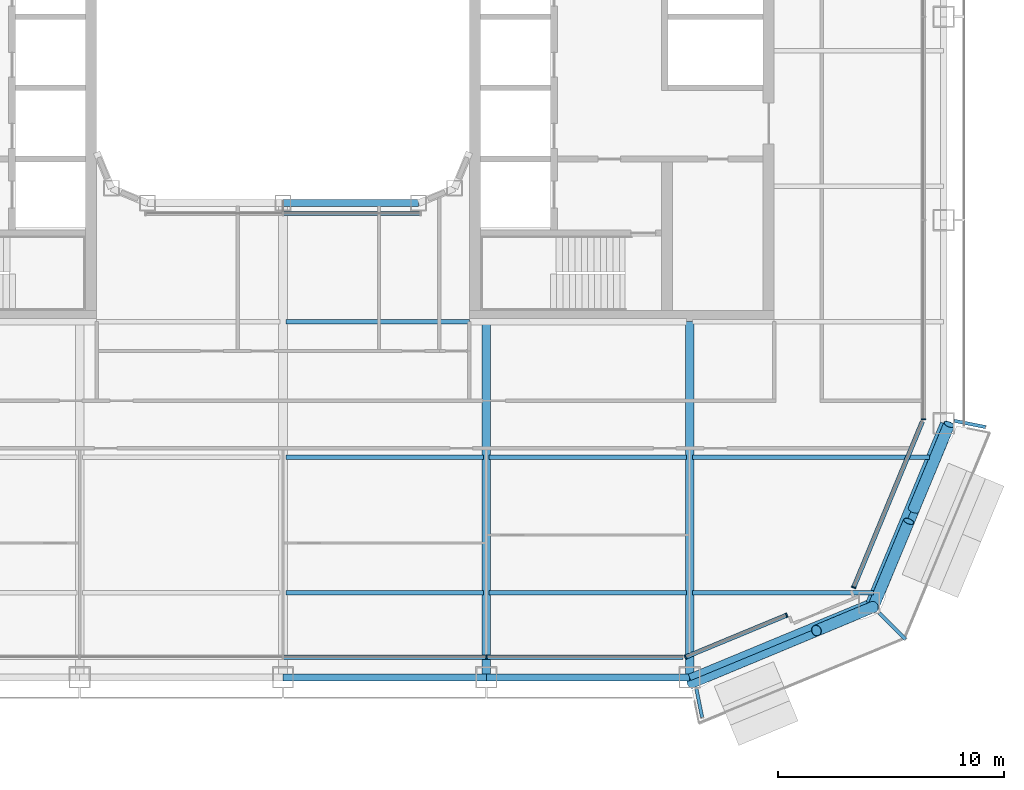
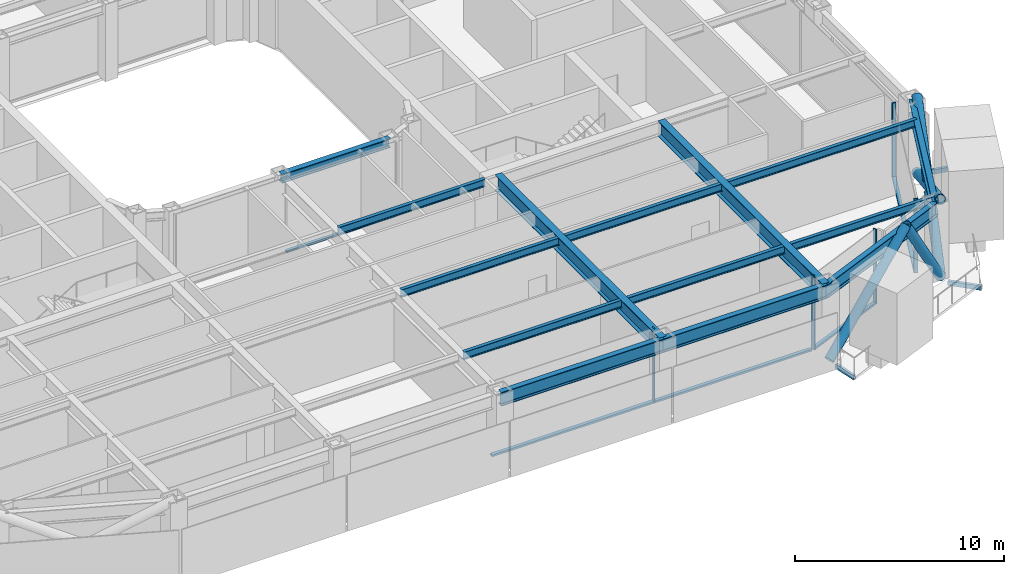
# One storey, part 4 of 23: 17 beams, 15 members, 5 elements without a shape of their own.
"""IFC4 building model written with IfcOpenShell, lengths in metres."""

from ifc_helpers import new_model, si_unit, direction, frame, origin, origin_2d, place, context, subcontext, project, spatial, rectangle, hollow_rectangle, hollow_circle, i_section, extrude, material, layer, layer_set, material_profile, profile_set, type_object, element, aggregate, save


model = new_model("IFC4")

# Units and contexts
model_context = context("Model", 3, precision=1e-05, world=origin(), true_north=direction((0.0, 1.0)))
body_context = subcontext(model_context, "Body", "Model", "MODEL_VIEW")
ifc_project = project(units=[si_unit("LENGTHUNIT", "METRE"), si_unit("AREAUNIT", "SQUARE_METRE"), si_unit("VOLUMEUNIT", "CUBIC_METRE"), si_unit("PLANEANGLEUNIT", "RADIAN"), si_unit("MASSUNIT", "GRAM", prefix="KILO")], contexts=[model_context])

# Site, building, storey
site_placement = place(None, origin())
site = spatial("IfcSite", under=ifc_project, at=site_placement, CompositionType="ELEMENT")
building_placement = place(site_placement, origin())
building = spatial("IfcBuilding", under=site, at=building_placement, Name="Siwar Civic Tower", CompositionType="ELEMENT")
storey_placement = place(building_placement, frame((0.0, 0.0, 109.199951171875)))
storey = spatial("IfcBuildingStorey", under=building, at=storey_placement, Name="L23", CompositionType="ELEMENT", Elevation=109.199951171875)

# Beams
ifc_material_1 = material(Name="Steel S355", Category="steel")
ifc_material_profile_1 = material_profile(ifc_material_1, hollow_rectangle(XDim=0.14990234375, YDim=0.25, WallThickness=0.010009765625, at=origin_2d()), Name="RHS250x150x10")
ifc_profile_set_1 = profile_set([ifc_material_profile_1], Name="Steel S355")
beam_type_1 = type_object("IfcBeamType", Name="ENV-BALCONY ARM", PredefinedType="BEAM", material=ifc_profile_set_1)
beam_1_placement = place(storey_placement, frame((18.30029296875, -29.73486328125, -0.27490234375), z_axis=(0.195189223115, -0.980765602568, 0.0), x_axis=(0.980765602568, 0.195189223115, 0.0)))
element("IfcBeam", 1, at=beam_1_placement, inside=storey, type_object=beam_type_1, Name="Balcony cantilever beam SE 1", PredefinedType="BEAM", context=body_context, shape_type="SweptSolid", body=[
    extrude(hollow_rectangle(XDim=0.14990234375, YDim=0.25, WallThickness=0.010009765625, at=origin_2d()), origin(), (0.0, 0.0, 1.0), 1.317138671875),
])
beam_2_placement = place(storey_placement, frame((26.39453125, -26.39453125, -0.27490234375), z_axis=(0.707106781187, -0.707106781187, 0.0), x_axis=(0.707106781187, 0.707106781187, 0.0)))
element("IfcBeam", 2, at=beam_2_placement, inside=storey, type_object=beam_type_1, Name="Balcony cantilever beam SE 2", PredefinedType="BEAM", context=body_context, shape_type="SweptSolid", body=[
    extrude(hollow_rectangle(XDim=0.14990234375, YDim=0.25, WallThickness=0.010009765625, at=origin_2d()), origin(), (0.0, 0.0, 1.0), 1.6513671875),
])
beam_3_placement = place(storey_placement, frame((29.72509765625, -17.890625, -0.27490234375), z_axis=(0.980780459814, -0.195114555191, 0.0), x_axis=(0.195114555191, 0.980780459814, 0.0)))
element("IfcBeam", 3, at=beam_3_placement, inside=storey, type_object=beam_type_1, Name="Balcony cantilever beam SE 3", PredefinedType="BEAM", context=body_context, shape_type="SweptSolid", body=[
    extrude(hollow_rectangle(XDim=0.14990234375, YDim=0.25, WallThickness=0.010009765625, at=origin_2d()), origin(), (0.0, 0.0, 1.0), 1.406494140625),
])

# Curtain wall, member
ifc_material_2 = material(Name="Aluminium and glass", Category="aluminium")
ifc_layer_1 = layer(ifc_material_2, 0.199951171875)
ifc_layer_set_1 = layer_set([ifc_layer_1], Name="Aluminium and glass")
curtain_wall_type_1 = type_object("IfcCurtainWallType", Name="ENV-CW-B", PredefinedType="NOTDEFINED", material=ifc_layer_set_1)
curtain_wall_1_placement = place(storey_placement, origin())
curtain_wall_1 = element("IfcCurtainWall", 4, at=curtain_wall_1_placement, inside=storey, type_object=curtain_wall_type_1, Name="Curtain wall B S", PredefinedType="NOTDEFINED")
ifc_material_3 = material(Name="Aluminium 6063-T6", Category="aluminium")
ifc_material_profile_2 = material_profile(ifc_material_3, rectangle(XDim=0.199951171875, YDim=0.06494140625, at=origin_2d()), Name="AL 200x65")
ifc_profile_set_2 = profile_set([ifc_material_profile_2], Name="Aluminium 6063-T6")
member_type_1 = type_object("IfcMemberType", Name="ENV-MULLION-B", PredefinedType="MULLION", material=ifc_profile_set_2)
member_1_placement = place(storey_placement, frame((9.0, -28.35009765625, 0.0), z_axis=(0.0, 0.0, 1.0), x_axis=(0.0, 1.0, 0.0)))
member_1 = element("IfcMember", 5, at=member_1_placement, type_object=member_type_1, Name="Mullion B S 4", PredefinedType="MULLION", context=body_context, shape_type="SweptSolid", body=[
    extrude(rectangle(XDim=0.199951171875, YDim=0.06494140625, at=origin_2d()), origin(), (0.0, 0.0, 1.0), 4.35009765625),
])

# Curtain wall, members
ifc_material_4 = material(Name="Aluminium clad insulated panel", Category="aluminium")
ifc_layer_2 = layer(ifc_material_4, 0.199951171875)
ifc_layer_set_2 = layer_set([ifc_layer_2], Name="Aluminium clad insulated panel")
curtain_wall_type_2 = type_object("IfcCurtainWallType", Name="ENV-CW-BX", PredefinedType="NOTDEFINED", material=ifc_layer_set_2)
curtain_wall_2_placement = place(storey_placement, origin())
curtain_wall_2 = element("IfcCurtainWall", 6, at=curtain_wall_2_placement, inside=storey, type_object=curtain_wall_type_2, Name="Curtain wall B SE1", PredefinedType="NOTDEFINED")
member_2_placement = place(storey_placement, frame((17.821044921875, -28.35009765625, 0.0), z_axis=(0.0, 0.0, 1.0), x_axis=(-0.382683432365, 0.923879532511, 0.0)))
member_2 = element("IfcMember", 7, at=member_2_placement, type_object=member_type_1, Name="Mullion B SE1 1", PredefinedType="MULLION", context=body_context, shape_type="SweptSolid", body=[
    extrude(rectangle(XDim=0.199951171875, YDim=0.06494140625, at=origin_2d()), origin(), (0.0, 0.0, 1.0), 4.35009765625),
])
member_3_placement = place(storey_placement, frame((22.299072265625, -26.4951171875, 0.0), z_axis=(0.0, 0.0, 1.0), x_axis=(-0.382683432365, 0.923879532511, 0.0)))
member_3 = element("IfcMember", 8, at=member_3_placement, type_object=member_type_1, Name="Mullion B SE1 2", PredefinedType="MULLION", context=body_context, shape_type="SweptSolid", body=[
    extrude(rectangle(XDim=0.199951171875, YDim=0.06494140625, at=origin_2d()), origin(), (0.0, 0.0, 1.0), 4.35009765625),
])

# Curtain wall, member
curtain_wall_3_placement = place(storey_placement, origin())
curtain_wall_3 = element("IfcCurtainWall", 9, at=curtain_wall_3_placement, inside=storey, type_object=curtain_wall_type_2, Name="Curtain wall B SE2", PredefinedType="NOTDEFINED")
member_4_placement = place(storey_placement, frame((25.26611328125, -25.26611328125, 0.0), z_axis=(0.0, 0.0, 1.0), x_axis=(-0.923879532511, 0.382683432365, 0.0)))
member_4 = element("IfcMember", 10, at=member_4_placement, type_object=member_type_1, Name="Mullion B SE2 1", PredefinedType="MULLION", context=body_context, shape_type="SweptSolid", body=[
    extrude(rectangle(XDim=0.199951171875, YDim=0.06494140625, at=origin_2d()), origin(), (0.0, 0.0, 1.0), 4.35009765625),
])

curtain_wall_4_placement = place(storey_placement, origin())
curtain_wall_4 = element("IfcCurtainWall", 11, at=curtain_wall_4_placement, inside=storey, type_object=curtain_wall_type_1, Name="Curtain wall B E", PredefinedType="NOTDEFINED")
member_5_placement = place(storey_placement, frame((28.35009765625, -17.821044921875, 0.0), z_axis=(0.0, 0.0, 1.0), x_axis=(-1.0, 0.0, 0.0)))
member_5 = element("IfcMember", 12, at=member_5_placement, type_object=member_type_1, Name="Mullion B E 1", PredefinedType="MULLION", context=body_context, shape_type="SweptSolid", body=[
    extrude(rectangle(XDim=0.199951171875, YDim=0.06494140625, at=origin_2d()), origin(), (0.0, 0.0, 1.0), 4.35009765625),
])
aggregate(curtain_wall_4, [member_5])

# Member
ifc_material_5 = material(Name="Aluminium 6063-T6", Category="aluminium")
ifc_material_profile_3 = material_profile(ifc_material_5, rectangle(XDim=0.199951171875, YDim=0.110107421875, at=origin_2d()), Name="AL 200x110")
ifc_profile_set_3 = profile_set([ifc_material_profile_3], Name="Aluminium 6063-T6")
member_type_2 = type_object("IfcMemberType", Name="ENV-TRANSOM-B", PredefinedType="USERDEFINED", material=ifc_profile_set_3)
member_6_placement = place(storey_placement, frame((0.032470703125, -28.35009765625, 0.054931640625), z_axis=(1.0, 0.0, 0.0), x_axis=(0.0, 1.0, 0.0)))
member_6 = element("IfcMember", 13, at=member_6_placement, type_object=member_type_2, Name="Transom B S 3", ObjectType="TRANSOM", PredefinedType="USERDEFINED", context=body_context, shape_type="SweptSolid", body=[
    extrude(rectangle(XDim=0.199951171875, YDim=0.110107421875, at=origin_2d()), origin(), (0.0, 0.0, 1.0), 8.93505859375),
])

member_7_placement = place(storey_placement, frame((9.032470703125, -28.35009765625, 0.054931640625), z_axis=(1.0, 0.0, 0.0), x_axis=(0.0, 1.0, 0.0)))
member_7 = element("IfcMember", 14, at=member_7_placement, type_object=member_type_2, Name="Transom B S 4", ObjectType="TRANSOM", PredefinedType="USERDEFINED", context=body_context, shape_type="SweptSolid", body=[
    extrude(rectangle(XDim=0.199951171875, YDim=0.110107421875, at=origin_2d()), origin(), (0.0, 0.0, 1.0), 8.6748046875),
])

aggregate(curtain_wall_1, [member_1, member_6, member_7])

member_8_placement = place(storey_placement, frame((17.85107421875, -28.337646484375, 0.054931640625), z_axis=(0.923872467912, 0.382700487371, 0.0), x_axis=(-0.382700487371, 0.923872467912, 0.0)))
member_8 = element("IfcMember", 15, at=member_8_placement, type_object=member_type_2, Name="Transom B SE1 1", ObjectType="TRANSOM", PredefinedType="USERDEFINED", context=body_context, shape_type="SweptSolid", body=[
    extrude(rectangle(XDim=0.199951171875, YDim=0.110107421875, at=origin_2d()), origin(), (0.0, 0.0, 1.0), 4.781982421875),
])

aggregate(curtain_wall_2, [member_2, member_3, member_8])

member_9_placement = place(storey_placement, frame((25.278564453125, -25.236083984375, 0.054931640625), z_axis=(0.382673358825, 0.923883705044, 0.0), x_axis=(-0.923883705044, 0.382673358825, 0.0)))
member_9 = element("IfcMember", 16, at=member_9_placement, type_object=member_type_2, Name="Transom B SE2 1", ObjectType="TRANSOM", PredefinedType="USERDEFINED", context=body_context, shape_type="SweptSolid", body=[
    extrude(rectangle(XDim=0.199951171875, YDim=0.110107421875, at=origin_2d()), origin(), (0.0, 0.0, 1.0), 7.912353515625),
])

aggregate(curtain_wall_3, [member_4, member_9])

# Curtain wall, member
ifc_material_6 = material(Name="Aluminium and glass", Category="aluminium")
ifc_layer_3 = layer(ifc_material_6, 0.179931640625)
ifc_layer_set_3 = layer_set([ifc_layer_3], Name="Aluminium and glass")
curtain_wall_type_3 = type_object("IfcCurtainWallType", Name="ENV-CW-W", PredefinedType="NOTDEFINED", material=ifc_layer_set_3)
curtain_wall_5_placement = place(storey_placement, origin())
curtain_wall_5 = element("IfcCurtainWall", 17, at=curtain_wall_5_placement, inside=storey, type_object=curtain_wall_type_3, Name="Curtain wall W WS", PredefinedType="NOTDEFINED")
ifc_material_7 = material(Name="Aluminium 6063-T6", Category="aluminium")
ifc_material_profile_4 = material_profile(ifc_material_7, rectangle(XDim=0.179931640625, YDim=0.10009765625, at=origin_2d()), Name="AL 180x100")
ifc_profile_set_4 = profile_set([ifc_material_profile_4], Name="Aluminium 6063-T6")
member_type_3 = type_object("IfcMemberType", Name="ENV-TRANSOM-W", PredefinedType="USERDEFINED", material=ifc_profile_set_4)
member_10_placement = place(storey_placement, frame((0.030029296875, -8.7099609375, 0.050048828125), z_axis=(1.0, 0.0, 0.0), x_axis=(0.0, 1.0, 0.0)))
member_10 = element("IfcMember", 18, at=member_10_placement, type_object=member_type_3, Name="Transom W WS 2", ObjectType="TRANSOM", PredefinedType="USERDEFINED", context=body_context, shape_type="SweptSolid", body=[
    extrude(rectangle(XDim=0.179931640625, YDim=0.10009765625, at=origin_2d()), origin(), (0.0, 0.0, 1.0), 6.031494140625),
])
aggregate(curtain_wall_5, [member_10])

# Members
ifc_material_8 = material(Name="Steel S355", Category="steel")
ifc_material_profile_5 = material_profile(ifc_material_8, hollow_circle(Radius=0.25390625, WallThickness=0.02490234375, at=origin_2d()), Name="CHS508x25")
ifc_profile_set_5 = profile_set([ifc_material_profile_5], Name="Steel S355")
member_type_4 = type_object("IfcMemberType", Name="STR-BR-CHS508x25", PredefinedType="BRACE", material=ifc_profile_set_5)
member_11_placement = place(storey_placement, frame((29.4951171875, -18.048828125, 0.0), z_axis=(-0.341671493852, -0.821142553604, 0.457149315816), x_axis=(0.923264922524, -0.384163874976, 0.0)))
element("IfcMember", 19, at=member_11_placement, inside=storey, type_object=member_type_4, Name="L23/brc/BSE1-2-0-1", PredefinedType="BRACE", context=body_context, shape_type="SweptSolid", body=[
    extrude(hollow_circle(Radius=0.25390625, WallThickness=0.02490234375, at=origin_2d()), origin(), (0.0, 0.0, 1.0), 9.843505859375),
])
member_12_placement = place(storey_placement, frame((26.1318359375, -26.1318359375, 0.0), z_axis=(0.341662474736, 0.821143275065, 0.457154760636), x_axis=(-0.923268638995, 0.384154943021, 0.0)))
element("IfcMember", 20, at=member_12_placement, inside=storey, type_object=member_type_4, Name="L23/brc/BSE1-2-0-2", PredefinedType="BRACE", context=body_context, shape_type="SweptSolid", body=[
    extrude(hollow_circle(Radius=0.25390625, WallThickness=0.02490234375, at=origin_2d()), origin(), (0.0, 0.0, 1.0), 4.61474609375),
])
member_13_placement = place(storey_placement, frame((27.91845703125, -21.837890625, 2.390625), z_axis=(0.34168558233, 0.821145902409, 0.457132770413), x_axis=(-0.923259859753, 0.384176042158, 0.0)))
element("IfcMember", 21, at=member_13_placement, inside=storey, type_object=member_type_4, Name="L23/brc/BSE1-2-0-3", PredefinedType="BRACE", context=body_context, shape_type="SweptSolid", body=[
    extrude(hollow_circle(Radius=0.25390625, WallThickness=0.02490234375, at=origin_2d()), origin(), (0.0, 0.0, 1.0), 4.6142578125),
])
member_14_placement = place(storey_placement, frame((18.048828125, -29.4951171875, 0.0), z_axis=(0.739973158344, 0.307903068035, 0.598026275029), x_axis=(-0.384169803352, 0.923262455747, 0.0)))
element("IfcMember", 22, at=member_14_placement, inside=storey, type_object=member_type_4, Name="L23/brc/BSE1-2-0-0", PredefinedType="BRACE", context=body_context, shape_type="SweptSolid", body=[
    extrude(hollow_circle(Radius=0.25390625, WallThickness=0.02490234375, at=origin_2d()), origin(), (0.0, 0.0, 1.0), 7.524658203125),
])
member_15_placement = place(storey_placement, frame((26.1318359375, -26.1318359375, 0.0), z_axis=(-0.478099094869, -0.198925611165, 0.855482236349), x_axis=(0.384150749045, -0.92327038402, 0.0)))
element("IfcMember", 23, at=member_15_placement, inside=storey, type_object=member_type_4, Name="L23/brc/BSE1-2-0-6", PredefinedType="BRACE", context=body_context, shape_type="SweptSolid", body=[
    extrude(hollow_circle(Radius=0.25390625, WallThickness=0.02490234375, at=origin_2d()), origin(), (0.0, 0.0, 1.0), 5.26025390625),
])

# Beams
ifc_material_9 = material(Name="Steel S355", Category="steel")
ifc_material_profile_6 = material_profile(ifc_material_9, i_section(OverallWidth=0.18994140625, OverallDepth=0.449951171875, WebThickness=0.009521484375, FlangeThickness=0.0146484375, FilletRadius=0.02099609375, at=origin_2d()), Name="IPE450")
ifc_profile_set_6 = profile_set([ifc_material_profile_6], Name="Steel S355")
beam_type_2 = type_object("IfcBeamType", Name="STR-FB-IPE450", PredefinedType="JOIST", material=ifc_profile_set_6)
for number, where, z_axis, x_axis, name in (
    (24, (0.1298828125, -25.5, 4.125), (1.0, 0.0, 0.0), (0.0, 1.0, 0.0), "L23/bm/F004"),
    (25, (9.1298828125, -25.5, 4.125), (1.0, 0.0, 0.0), (0.0, 1.0, 0.0), "L23/bm/F005"),
):
    element("IfcBeam", number, at=place(storey_placement, frame(where, z_axis=z_axis, x_axis=x_axis)), inside=storey, type_object=beam_type_2, Name=name, PredefinedType="JOIST", context=body_context, shape_type="SweptSolid", body=[
        extrude(i_section(OverallWidth=0.18994140625, OverallDepth=0.449951171875, WebThickness=0.009521484375, FlangeThickness=0.0146484375, FilletRadius=0.02099609375, at=origin_2d()), origin(), (0.0, 0.0, 1.0), 8.740234375),
    ])
beam_4_placement = place(storey_placement, frame((18.1298828125, -25.5, 4.125), z_axis=(1.0, 0.0, 0.0), x_axis=(0.0, 1.0, 0.0)))
element("IfcBeam", 26, at=beam_4_placement, inside=storey, type_object=beam_type_2, Name="L23/bm/F006", PredefinedType="JOIST", context=body_context, shape_type="SweptSolid", body=[
    extrude(i_section(OverallWidth=0.18994140625, OverallDepth=0.449951171875, WebThickness=0.009521484375, FlangeThickness=0.0146484375, FilletRadius=0.02099609375, at=origin_2d()), origin(), (0.0, 0.0, 1.0), 8.013427734375),
])
for number, where, z_axis, x_axis, name in (
    (27, (0.1298828125, -19.5, 4.125), (1.0, 0.0, 0.0), (0.0, 1.0, 0.0), "L23/bm/F010"),
    (28, (9.1298828125, -19.5, 4.125), (1.0, 0.0, 0.0), (0.0, 1.0, 0.0), "L23/bm/F011"),
):
    element("IfcBeam", number, at=place(storey_placement, frame(where, z_axis=z_axis, x_axis=x_axis)), inside=storey, type_object=beam_type_2, Name=name, PredefinedType="JOIST", context=body_context, shape_type="SweptSolid", body=[
        extrude(i_section(OverallWidth=0.18994140625, OverallDepth=0.449951171875, WebThickness=0.009521484375, FlangeThickness=0.0146484375, FilletRadius=0.02099609375, at=origin_2d()), origin(), (0.0, 0.0, 1.0), 8.740234375),
    ])
beam_5_placement = place(storey_placement, frame((18.1298828125, -19.5, 4.125), z_axis=(1.0, 0.0, 0.0), x_axis=(0.0, 1.0, 0.0)))
element("IfcBeam", 29, at=beam_5_placement, inside=storey, type_object=beam_type_2, Name="L23/bm/F012", PredefinedType="JOIST", context=body_context, shape_type="SweptSolid", body=[
    extrude(i_section(OverallWidth=0.18994140625, OverallDepth=0.449951171875, WebThickness=0.009521484375, FlangeThickness=0.0146484375, FilletRadius=0.02099609375, at=origin_2d()), origin(), (0.0, 0.0, 1.0), 10.498779296875),
])
beam_6_placement = place(storey_placement, frame((0.1298828125, -13.5, 4.125), z_axis=(1.0, 0.0, 0.0), x_axis=(0.0, 1.0, 0.0)))
element("IfcBeam", 30, at=beam_6_placement, inside=storey, type_object=beam_type_2, Name="L23/bm/F017", PredefinedType="JOIST", context=body_context, shape_type="SweptSolid", body=[
    extrude(i_section(OverallWidth=0.18994140625, OverallDepth=0.449951171875, WebThickness=0.009521484375, FlangeThickness=0.0146484375, FilletRadius=0.02099609375, at=origin_2d()), origin(), (0.0, 0.0, 1.0), 8.1201171875),
])
ifc_material_10 = material(Name="Steel S355", Category="steel")
ifc_material_profile_7 = material_profile(ifc_material_10, i_section(OverallWidth=0.3798828125, OverallDepth=0.89990234375, WebThickness=0.01611328125, FlangeThickness=0.035888671875, at=origin_2d()), Name="PG900x380x16x36")
ifc_profile_set_7 = profile_set([ifc_material_profile_7], Name="Steel S355")
beam_type_3 = type_object("IfcBeamType", Name="STR-PG-PG900x380x16x36", PredefinedType="BEAM", material=ifc_profile_set_7)
for number, where, z_axis, x_axis, name in (
    (31, (9.0, -29.25, 3.900146484375), (0.0, 1.0, 0.0), (-1.0, 0.0, 0.0), "L23/bm/G07"),
    (32, (18.0, -29.25, 3.900146484375), (0.0, 1.0, 0.0), (-1.0, 0.0, 0.0), "L23/bm/G09"),
):
    element("IfcBeam", number, at=place(storey_placement, frame(where, z_axis=z_axis, x_axis=x_axis)), inside=storey, type_object=beam_type_3, Name=name, PredefinedType="BEAM", context=body_context, shape_type="SweptSolid", body=[
        extrude(i_section(OverallWidth=0.3798828125, OverallDepth=0.89990234375, WebThickness=0.01611328125, FlangeThickness=0.035888671875, at=origin_2d()), origin(), (0.0, 0.0, 1.0), 15.75),
    ])
ifc_material_11 = material(Name="Steel S355", Category="steel")
ifc_material_profile_8 = material_profile(ifc_material_11, i_section(OverallWidth=0.305908203125, OverallDepth=0.52392578125, WebThickness=0.02099609375, FlangeThickness=0.0400390625, FilletRadius=0.027099609375, at=origin_2d()), Name="HEM500")
ifc_profile_set_8 = profile_set([ifc_material_profile_8], Name="Steel S355")
beam_type_4 = type_object("IfcBeamType", Name="STR-RB-HEM500", PredefinedType="BEAM", material=ifc_profile_set_8)
beam_7_placement = place(storey_placement, frame((0.0, -8.25, 4.088134765625), z_axis=(1.0, 0.0, 0.0), x_axis=(0.0, 1.0, 0.0)))
element("IfcBeam", 33, at=beam_7_placement, inside=storey, type_object=beam_type_4, Name="L23/bm/RS2", PredefinedType="BEAM", context=body_context, shape_type="SweptSolid", body=[
    extrude(i_section(OverallWidth=0.305908203125, OverallDepth=0.52392578125, WebThickness=0.02099609375, FlangeThickness=0.0400390625, FilletRadius=0.027099609375, at=origin_2d()), origin(), (0.0, 0.0, 1.0), 6.0),
])
ifc_material_12 = material(Name="Steel S355", Category="steel")
ifc_material_profile_9 = material_profile(ifc_material_12, i_section(OverallWidth=0.300048828125, OverallDepth=0.800048828125, WebThickness=0.017578125, FlangeThickness=0.032958984375, FilletRadius=0.030029296875, at=origin_2d()), Name="HEB800")
ifc_profile_set_9 = profile_set([ifc_material_profile_9], Name="Steel S355")
beam_type_5 = type_object("IfcBeamType", Name="STR-SB-HEB800", PredefinedType="BEAM", material=ifc_profile_set_9)
for number, where, z_axis, x_axis, name in (
    (34, (0.0, -29.25, 3.949951171875), (1.0, 0.0, 0.0), (0.0, 1.0, 0.0), "L23/bm/SS-2"),
    (35, (9.0, -29.25, 3.949951171875), (1.0, 0.0, 0.0), (0.0, 1.0, 0.0), "L23/bm/SS-3"),
):
    element("IfcBeam", number, at=place(storey_placement, frame(where, z_axis=z_axis, x_axis=x_axis)), inside=storey, type_object=beam_type_5, Name=name, PredefinedType="BEAM", context=body_context, shape_type="SweptSolid", body=[
        extrude(i_section(OverallWidth=0.300048828125, OverallDepth=0.800048828125, WebThickness=0.017578125, FlangeThickness=0.032958984375, FilletRadius=0.030029296875, at=origin_2d()), origin(), (0.0, 0.0, 1.0), 9.0),
    ])
for number, where, z_axis, x_axis, name in (
    (36, (18.0, -29.25, 3.949951171875), (0.923872720536, 0.382699877515, 0.0), (-0.382699877515, 0.923872720536, 0.0), "L23/bm/SSE1-0"),
    (37, (25.954833984375, -25.954833984375, 3.949951171875), (0.382699877515, 0.923872720536, 0.0), (-0.923872720536, 0.382699877515, 0.0), "L23/bm/SSE2-0"),
):
    element("IfcBeam", number, at=place(storey_placement, frame(where, z_axis=z_axis, x_axis=x_axis)), inside=storey, type_object=beam_type_5, Name=name, PredefinedType="BEAM", context=body_context, shape_type="SweptSolid", body=[
        extrude(i_section(OverallWidth=0.300048828125, OverallDepth=0.800048828125, WebThickness=0.017578125, FlangeThickness=0.032958984375, FilletRadius=0.030029296875, at=origin_2d()), origin(), (0.0, 0.0, 1.0), 8.6103515625),
    ])

save(model, "model.ifc")
